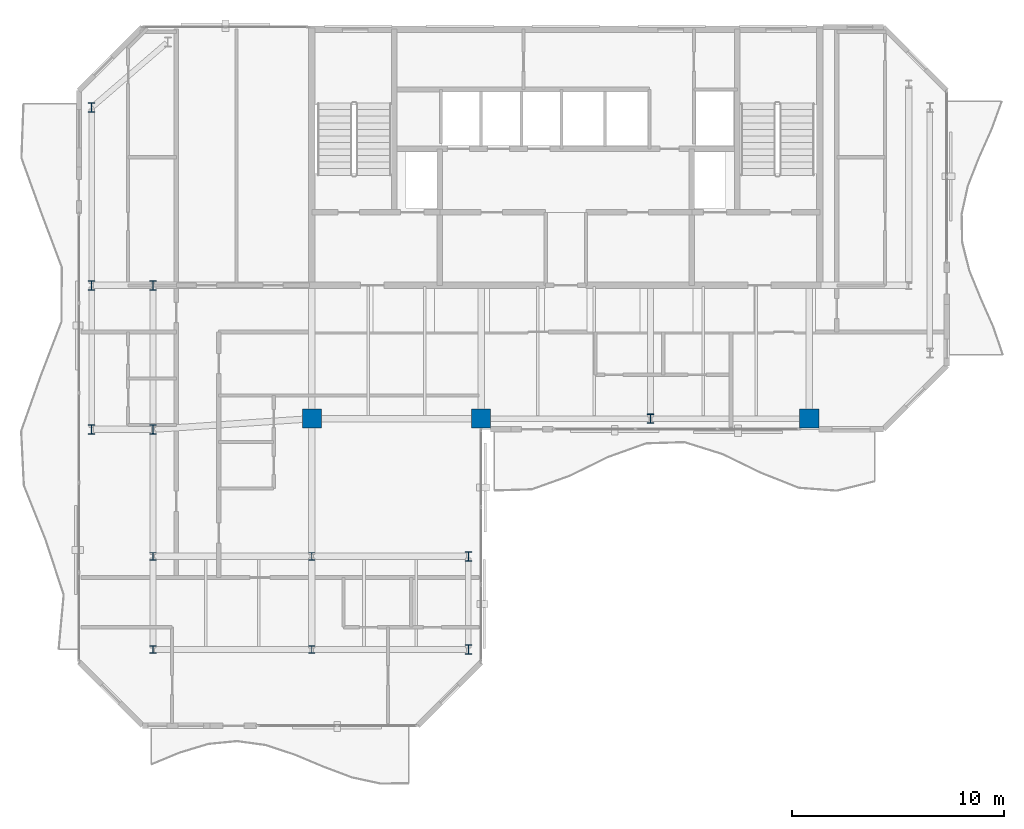
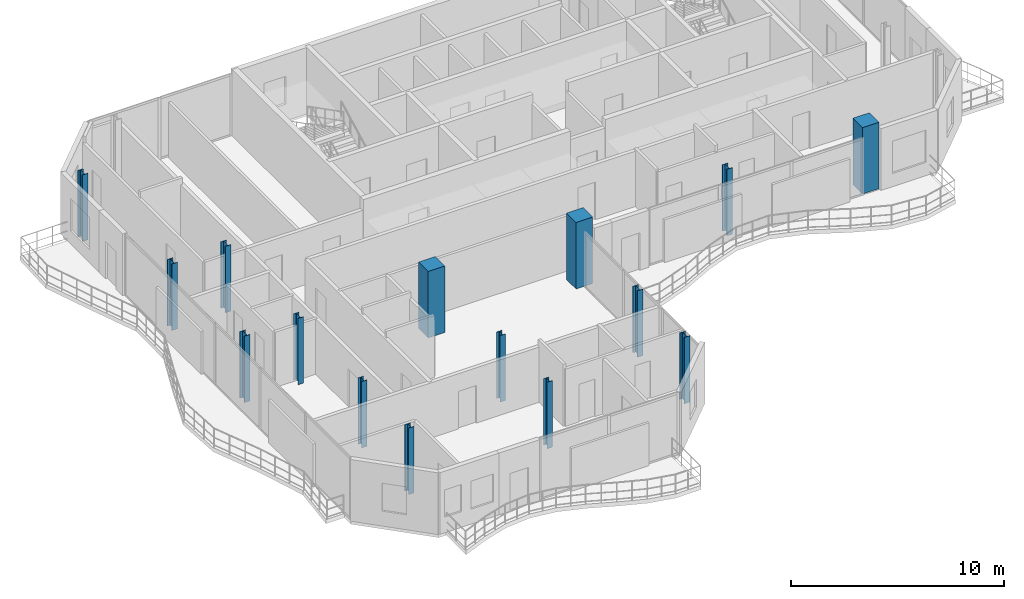
# One storey, part 1 of 23: 15 columns.
"""IFC4 building model written with IfcOpenShell, lengths in metres."""

from ifc_helpers import new_model, si_unit, direction, frame, origin, origin_2d, place, context, subcontext, project, spatial, rectangle, i_section, extrude, material, material_profile, profile_set, type_object, element, save


model = new_model("IFC4")

# Units and contexts
model_context = context("Model", 3, precision=1e-05, world=origin(), true_north=direction((0.0, 1.0)))
body_context = subcontext(model_context, "Body", "Model", "MODEL_VIEW")
ifc_project = project(units=[si_unit("LENGTHUNIT", "METRE"), si_unit("AREAUNIT", "SQUARE_METRE"), si_unit("VOLUMEUNIT", "CUBIC_METRE"), si_unit("PLANEANGLEUNIT", "RADIAN"), si_unit("MASSUNIT", "GRAM", prefix="KILO")], contexts=[model_context])

# Site, building, storey
site_placement = place(None, origin())
site = spatial("IfcSite", under=ifc_project, at=site_placement, CompositionType="ELEMENT")
building_placement = place(site_placement, origin())
building = spatial("IfcBuilding", under=site, at=building_placement, Name="Catumbela Crestline Tower", CompositionType="ELEMENT")
storey_placement = place(building_placement, frame((0.0, 0.0, 245.0)))
storey = spatial("IfcBuildingStorey", under=building, at=storey_placement, Name="L63", CompositionType="ELEMENT", Elevation=245.0)

# Columns
ifc_material_1 = material(Name="Concrete C45/55", Category="concrete")
ifc_material_profile_1 = material_profile(ifc_material_1, rectangle(XDim=0.9, YDim=0.9, at=origin_2d()), Name="RC 900x900")
ifc_profile_set_1 = profile_set([ifc_material_profile_1], Name="Concrete C45/55")
column_type_1 = type_object("IfcColumnType", Name="C-RC900-C45", PredefinedType="COLUMN", material=ifc_profile_set_1)
for number, where, z_axis, x_axis, name in (
    (1, (16.0, 24.5, 0.0), (0.0, 0.0, 1.0), (1.0, 0.0, 0.0), "L63 Column C-16-24 (RC 900x900)"),
    (2, (24.0, 24.5, 0.0), (0.0, 0.0, 1.0), (1.0, 0.0, 0.0), "L63 Column C-24-24 (RC 900x900)"),
    (3, (39.5, 24.5, 0.0), (0.0, 0.0, 1.0), (1.0, 0.0, 0.0), "L63 Column C-40-24 (RC 900x900)"),
):
    element("IfcColumn", number, at=place(storey_placement, frame(where, z_axis=z_axis, x_axis=x_axis)), inside=storey, type_object=column_type_1, Name=name, PredefinedType="COLUMN", context=body_context, shape_type="SweptSolid", body=[
        extrude(rectangle(XDim=0.9, YDim=0.9, at=origin_2d()), origin(), (0.0, 0.0, 1.0), 3.8),
    ])
ifc_material_2 = material(Name="Structural steel S355J2", Category="steel")
ifc_material_profile_2 = material_profile(ifc_material_2, i_section(OverallWidth=0.3, OverallDepth=0.36, WebThickness=0.0125, FlangeThickness=0.0225, FilletRadius=0.027, at=origin_2d()), Name="HEB 360")
ifc_profile_set_2 = profile_set([ifc_material_profile_2], Name="Structural steel S355J2")
column_type_2 = type_object("IfcColumnType", Name="C-ST-HEB360", PredefinedType="COLUMN", material=ifc_profile_set_2)
for number, where, z_axis, x_axis, name in (
    (4, (8.5, 13.6, 0.0), (0.0, 0.0, 1.0), (1.0, 0.0, 0.0), "L63 Column CT-05-10 (HEB 360)"),
    (5, (16.0, 13.6, 0.0), (0.0, 0.0, 1.0), (1.0, 0.0, 0.0), "L63 Column CT-14-10 (HEB 360)"),
    (6, (8.5, 18.0, 0.0), (0.0, 0.0, 1.0), (1.0, 0.0, 0.0), "L63 Column CT-05-16 (HEB 360)"),
    (7, (16.0, 18.0, 0.0), (0.0, 0.0, 1.0), (1.0, 0.0, 0.0), "L63 Column CT-14-16 (HEB 360)"),
):
    element("IfcColumn", number, at=place(storey_placement, frame(where, z_axis=z_axis, x_axis=x_axis)), inside=storey, type_object=column_type_2, Name=name, PredefinedType="COLUMN", context=body_context, shape_type="SweptSolid", body=[
        extrude(i_section(OverallWidth=0.3, OverallDepth=0.36, WebThickness=0.0125, FlangeThickness=0.0225, FilletRadius=0.027, at=origin_2d()), origin(), (0.0, 0.0, 1.0), 3.8),
    ])
ifc_material_profile_3 = material_profile(ifc_material_2, i_section(OverallWidth=0.3, OverallDepth=0.45, WebThickness=0.014, FlangeThickness=0.026, FilletRadius=0.027, at=origin_2d()), Name="HEB 450")
ifc_profile_set_3 = profile_set([ifc_material_profile_3], Name="Structural steel S355J2")
column_type_3 = type_object("IfcColumnType", Name="C-ST-HEB450", PredefinedType="COLUMN", material=ifc_profile_set_3)
for number, where, z_axis, x_axis, name in (
    (8, (8.5, 24.0, 0.0), (0.0, 0.0, 1.0), (1.0, 0.0, 0.0), "L63 Column C-08-24 (HEB 450)"),
    (9, (32.0, 24.5, 0.0), (0.0, 0.0, 1.0), (1.0, 0.0, 0.0), "L63 Column C-32-24 (HEB 450)"),
    (10, (5.6, 24.0, 0.0), (0.0, 0.0, 1.0), (1.0, 0.0, 0.0), "L63 Column C-05-24 (HEB 450)"),
    (11, (5.6, 30.8, 0.0), (0.0, 0.0, 1.0), (1.0, 0.0, 0.0), "L63 Column C-05-31 (HEB 450)"),
    (12, (5.6, 39.2, 0.0), (0.0, 0.0, 1.0), (1.0, 0.0, 0.0), "L63 Column C-05-43 (HEB 450)"),
    (13, (8.5, 30.8, 0.0), (0.0, 0.0, 1.0), (1.0, 0.0, 0.0), "L63 Column C-08-31 (HEB 450)"),
    (14, (23.4, 13.6, 0.0), (0.0, 0.0, 1.0), (1.0, 0.0, 0.0), "L63 Column C-24-10 (HEB 450)"),
    (15, (23.4, 18.0, 0.0), (0.0, 0.0, 1.0), (1.0, 0.0, 0.0), "L63 Column C-24-16 (HEB 450)"),
):
    element("IfcColumn", number, at=place(storey_placement, frame(where, z_axis=z_axis, x_axis=x_axis)), inside=storey, type_object=column_type_3, Name=name, PredefinedType="COLUMN", context=body_context, shape_type="SweptSolid", body=[
        extrude(i_section(OverallWidth=0.3, OverallDepth=0.45, WebThickness=0.014, FlangeThickness=0.026, FilletRadius=0.027, at=origin_2d()), origin(), (0.0, 0.0, 1.0), 3.8),
    ])

save(model, "model.ifc")
